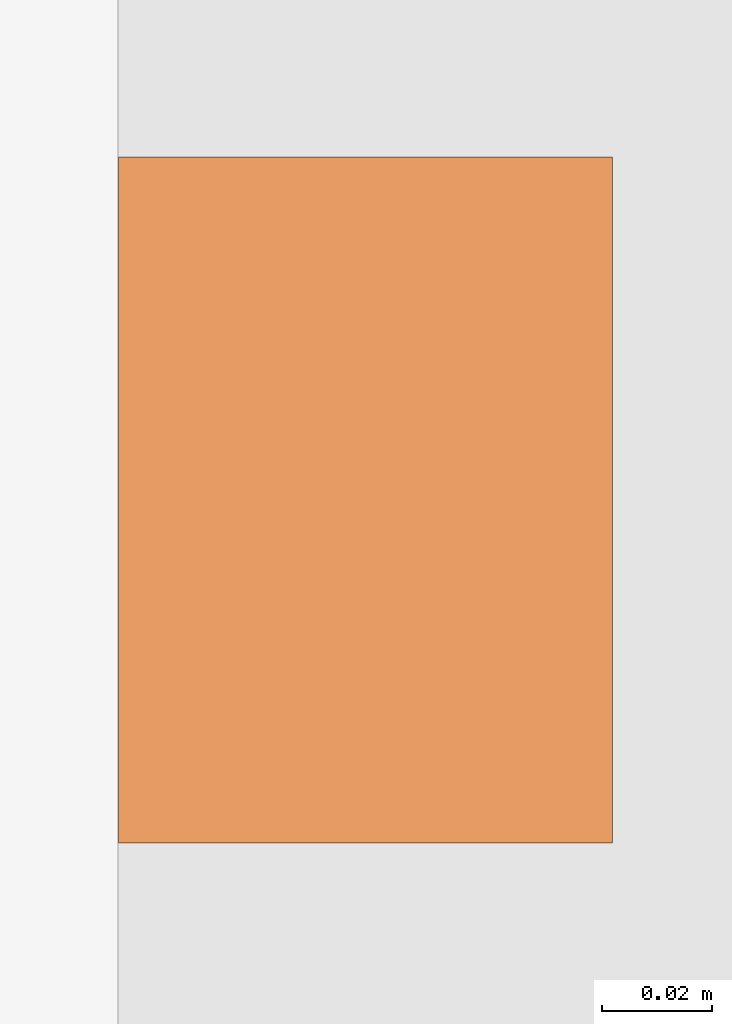
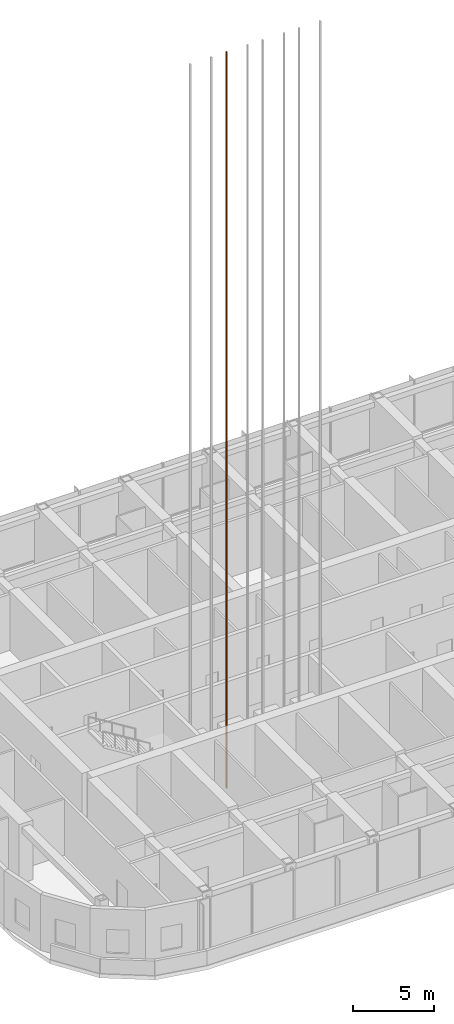
# One storey, part 30 of 35: 1 proxy.
"""IFC4 building model written with IfcOpenShell, lengths in metres."""

from ifc_helpers import new_model, si_unit, direction, frame, origin, origin_2d, place, context, subcontext, project, spatial, rectangle, extrude, material, element, save


model = new_model("IFC4")

# Units and contexts
model_context = context("Model", 3, precision=1e-05, world=origin(), true_north=direction((0.0, 1.0)))
body_context = subcontext(model_context, "Body", "Model", "MODEL_VIEW")
ifc_project = project(units=[si_unit("LENGTHUNIT", "METRE"), si_unit("AREAUNIT", "SQUARE_METRE"), si_unit("VOLUMEUNIT", "CUBIC_METRE"), si_unit("PLANEANGLEUNIT", "RADIAN"), si_unit("MASSUNIT", "GRAM", prefix="KILO")], contexts=[model_context])

# Site, building, storey
site_placement = place(None, origin())
site = spatial("IfcSite", under=ifc_project, at=site_placement, CompositionType="ELEMENT")
building_placement = place(site_placement, origin())
building = spatial("IfcBuilding", under=site, at=building_placement, Name="Orbita Commons", CompositionType="ELEMENT")
storey_placement = place(building_placement, frame((0.0, 0.0, 208.300048828125)))
storey = spatial("IfcBuildingStorey", under=building, at=storey_placement, Name="L51", CompositionType="ELEMENT", Elevation=208.300048828125)

# Proxy
ifc_material = material(Name="Machined steel guide rail", Category="steel")
placement = place(storey_placement, frame((29.89990234375, 28.10009765625, 0.0), z_axis=(0.0, 0.0, 1.0), x_axis=(1.0, 0.0, 0.0)))
proxy_placement = place(placement, frame((-0.7548828125, 0.0, -1.800048828125)))
element("IfcBuildingElementProxy", 1, at=proxy_placement, inside=storey, material=ifc_material, Name="P42 guide rail 1", ObjectType="GUIDE RAIL", PredefinedType="USERDEFINED", context=body_context, shape_type="SweptSolid", body=[
    extrude(rectangle(XDim=0.09, YDim=0.125, at=origin_2d()), origin(), (0.0, 0.0, 1.0), 55.800048828125),
])

save(model, "model.ifc")
